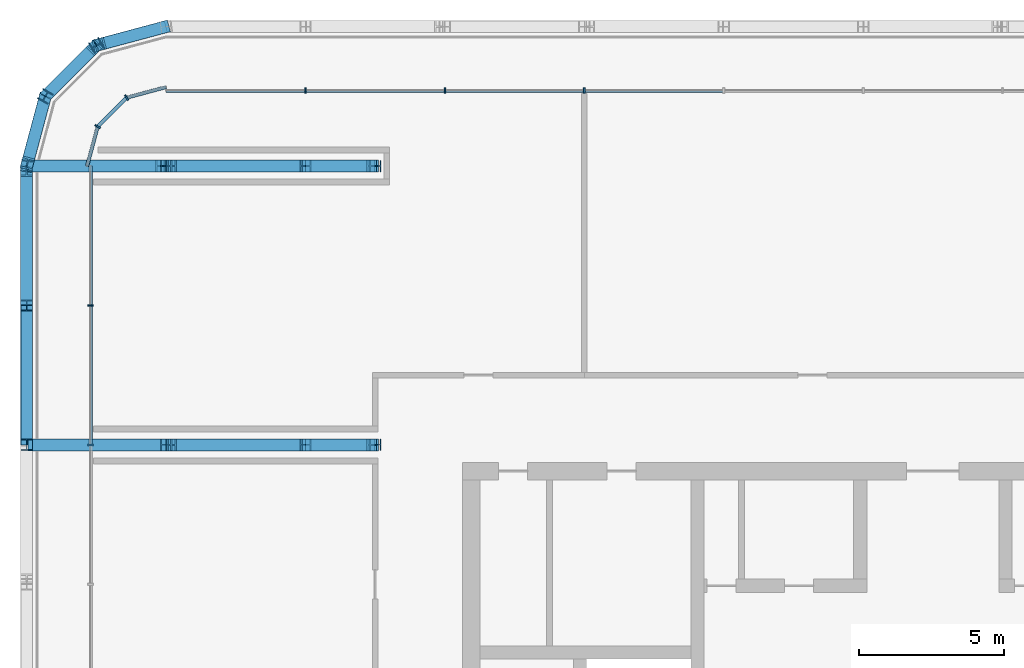
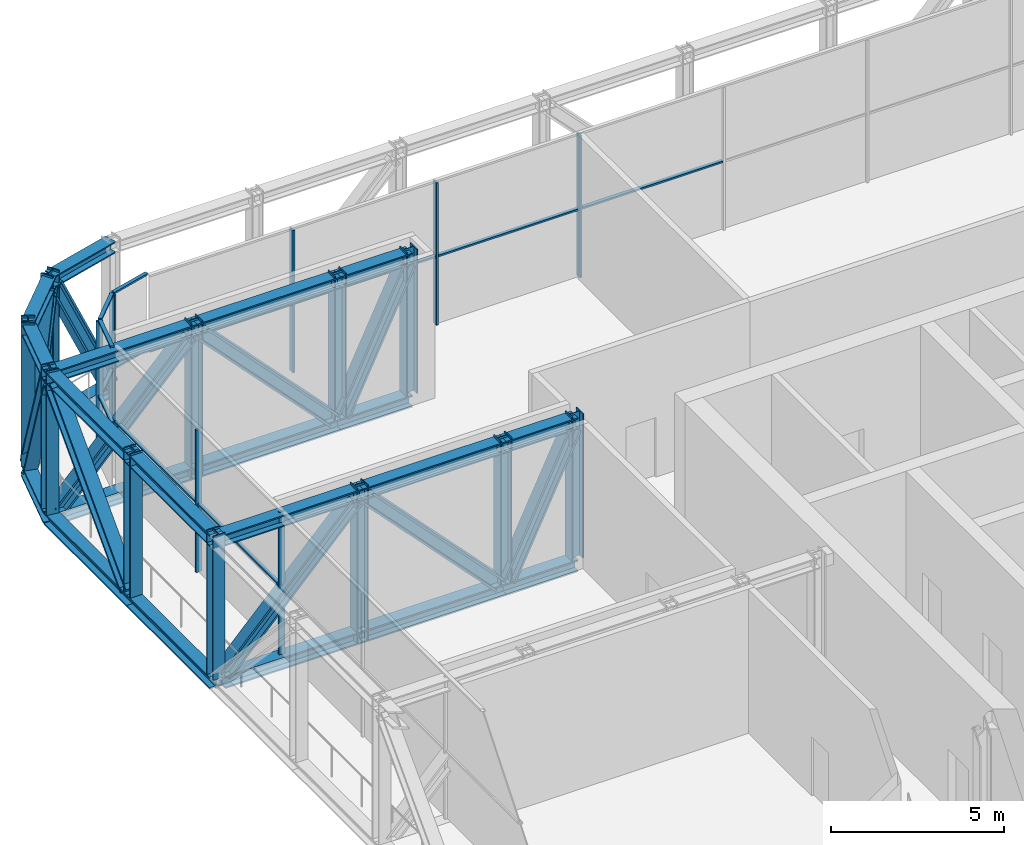
# One storey, part 11 of 26: 62 members, 3 elements without a shape of their own.
"""IFC4 building model written with IfcOpenShell, lengths in metres."""

from ifc_helpers import new_model, si_unit, direction, frame, origin, origin_2d, place, context, subcontext, project, spatial, rectangle, i_section, extrude, material, layer, layer_set, material_profile, profile_set, type_object, element, aggregate, save


model = new_model("IFC4")

# Units and contexts
model_context = context("Model", 3, precision=1e-05, world=origin(), true_north=direction((0.0, 1.0)))
body_context = subcontext(model_context, "Body", "Model", "MODEL_VIEW")
ifc_project = project(units=[si_unit("LENGTHUNIT", "METRE"), si_unit("AREAUNIT", "SQUARE_METRE"), si_unit("VOLUMEUNIT", "CUBIC_METRE"), si_unit("PLANEANGLEUNIT", "RADIAN"), si_unit("MASSUNIT", "GRAM", prefix="KILO")], contexts=[model_context])

# Site, building, storey
site_placement = place(None, origin())
site = spatial("IfcSite", under=ifc_project, at=site_placement, CompositionType="ELEMENT")
building_placement = place(site_placement, origin())
building = spatial("IfcBuilding", under=site, at=building_placement, Name="Madar Terraces", CompositionType="ELEMENT")
storey_placement = place(building_placement, frame((0.0, 0.0, 233.300048828125)))
storey = spatial("IfcBuildingStorey", under=building, at=storey_placement, Name="L61", CompositionType="ELEMENT", Elevation=233.300048828125)

# Members
ifc_material_1 = material(Name="Steel ASTM A992 Grade 50", Category="steel")
ifc_material_profile_1 = material_profile(ifc_material_1, i_section(OverallWidth=0.408935546875, OverallDepth=0.424072265625, WebThickness=0.03271484375, FlangeThickness=0.052490234375, at=origin_2d()), Name="W14x283")
ifc_profile_set_1 = profile_set([ifc_material_profile_1], Name="Steel ASTM A992 Grade 50")
member_type_1 = type_object("IfcMemberType", Name="BC8 W14x283", PredefinedType="CHORD", material=ifc_profile_set_1)
member_1_placement = place(storey_placement, frame((4.800048828125, 52.800048828125, -0.2080078125), z_axis=(-0.965930947833, -0.258799930484, 0.0), x_axis=(0.258799930484, -0.965930947833, 0.0)))
element("IfcMember", 1, at=member_1_placement, inside=storey, type_object=member_type_1, Name="Exoskeleton truss ring bottom chord BC8", PredefinedType="CHORD", context=body_context, shape_type="SweptSolid", body=[
    extrude(i_section(OverallWidth=0.408935546875, OverallDepth=0.424072265625, WebThickness=0.03271484375, FlangeThickness=0.052490234375, at=origin_2d()), origin(), (0.0, 0.0, 1.0), 2.48486328125),
])
for number, where, z_axis, x_axis, name in (
    (2, (2.39990234375, 52.156982421875, -0.2080078125), (-0.70705765096, -0.707155907999, 0.0), (0.707155907999, -0.70705765096, 0.0), "Exoskeleton truss ring bottom chord BC8"),
    (3, (0.64306640625, 50.39990234375, -0.2080078125), (-0.258824494443, -0.965924366126, 0.0), (0.965924366126, -0.258824494443, 0.0), "Exoskeleton truss ring bottom chord BC8"),
):
    element("IfcMember", number, at=place(storey_placement, frame(where, z_axis=z_axis, x_axis=x_axis)), inside=storey, type_object=member_type_1, Name=name, PredefinedType="CHORD", context=body_context, shape_type="SweptSolid", body=[
        extrude(i_section(OverallWidth=0.408935546875, OverallDepth=0.424072265625, WebThickness=0.03271484375, FlangeThickness=0.052490234375, at=origin_2d()), origin(), (0.0, 0.0, 1.0), 2.484619140625),
    ])
for number, where, z_axis, x_axis, name in (
    (4, (0.0, 48.0, -0.2080078125), (0.0, -1.0, 0.0), (1.0, 0.0, 0.0), "Exoskeleton truss ring bottom chord BC8"),
    (5, (0.0, 43.199951171875, -0.2080078125), (0.0, -1.0, 0.0), (1.0, 0.0, 0.0), "Exoskeleton truss ring bottom chord BC8"),
):
    element("IfcMember", number, at=place(storey_placement, frame(where, z_axis=z_axis, x_axis=x_axis)), inside=storey, type_object=member_type_1, Name=name, PredefinedType="CHORD", context=body_context, shape_type="SweptSolid", body=[
        extrude(i_section(OverallWidth=0.408935546875, OverallDepth=0.424072265625, WebThickness=0.03271484375, FlangeThickness=0.052490234375, at=origin_2d()), origin(), (0.0, 0.0, 1.0), 4.800048828125),
    ])
member_2_placement = place(storey_placement, frame((0.20458984375, 38.39990234375, -0.2080078125), z_axis=(1.0, 0.0, 0.0), x_axis=(0.0, 1.0, 0.0)))
element("IfcMember", 6, at=member_2_placement, inside=storey, type_object=member_type_1, Name="Exoskeleton truss cross W38.4 bottom chord BC8", PredefinedType="CHORD", context=body_context, shape_type="SweptSolid", body=[
    extrude(i_section(OverallWidth=0.408935546875, OverallDepth=0.424072265625, WebThickness=0.03271484375, FlangeThickness=0.052490234375, at=origin_2d()), origin(), (0.0, 0.0, 1.0), 4.595458984375),
])
member_3_placement = place(storey_placement, frame((4.800048828125, 38.39990234375, -0.2080078125), z_axis=(1.0, 0.0, 0.0), x_axis=(0.0, 1.0, 0.0)))
element("IfcMember", 7, at=member_3_placement, inside=storey, type_object=member_type_1, Name="Exoskeleton truss cross W38.4 bottom chord BC8", PredefinedType="CHORD", context=body_context, shape_type="SweptSolid", body=[
    extrude(i_section(OverallWidth=0.408935546875, OverallDepth=0.424072265625, WebThickness=0.03271484375, FlangeThickness=0.052490234375, at=origin_2d()), origin(), (0.0, 0.0, 1.0), 4.800048828125),
])
member_4_placement = place(storey_placement, frame((9.60009765625, 38.39990234375, -0.2080078125), z_axis=(1.0, 0.0, 0.0), x_axis=(0.0, 1.0, 0.0)))
element("IfcMember", 8, at=member_4_placement, inside=storey, type_object=member_type_1, Name="Exoskeleton truss cross W38.4 bottom chord BC8", PredefinedType="CHORD", context=body_context, shape_type="SweptSolid", body=[
    extrude(i_section(OverallWidth=0.408935546875, OverallDepth=0.424072265625, WebThickness=0.03271484375, FlangeThickness=0.052490234375, at=origin_2d()), origin(), (0.0, 0.0, 1.0), 2.39990234375),
])
member_5_placement = place(storey_placement, frame((0.20458984375, 48.0, -0.2080078125), z_axis=(1.0, 0.0, 0.0), x_axis=(0.0, 1.0, 0.0)))
element("IfcMember", 9, at=member_5_placement, inside=storey, type_object=member_type_1, Name="Exoskeleton truss cross W48 bottom chord BC8", PredefinedType="CHORD", context=body_context, shape_type="SweptSolid", body=[
    extrude(i_section(OverallWidth=0.408935546875, OverallDepth=0.424072265625, WebThickness=0.03271484375, FlangeThickness=0.052490234375, at=origin_2d()), origin(), (0.0, 0.0, 1.0), 4.595458984375),
])
member_6_placement = place(storey_placement, frame((4.800048828125, 48.0, -0.2080078125), z_axis=(1.0, 0.0, 0.0), x_axis=(0.0, 1.0, 0.0)))
element("IfcMember", 10, at=member_6_placement, inside=storey, type_object=member_type_1, Name="Exoskeleton truss cross W48 bottom chord BC8", PredefinedType="CHORD", context=body_context, shape_type="SweptSolid", body=[
    extrude(i_section(OverallWidth=0.408935546875, OverallDepth=0.424072265625, WebThickness=0.03271484375, FlangeThickness=0.052490234375, at=origin_2d()), origin(), (0.0, 0.0, 1.0), 4.800048828125),
])
member_7_placement = place(storey_placement, frame((9.60009765625, 48.0, -0.2080078125), z_axis=(1.0, 0.0, 0.0), x_axis=(0.0, 1.0, 0.0)))
element("IfcMember", 11, at=member_7_placement, inside=storey, type_object=member_type_1, Name="Exoskeleton truss cross W48 bottom chord BC8", PredefinedType="CHORD", context=body_context, shape_type="SweptSolid", body=[
    extrude(i_section(OverallWidth=0.408935546875, OverallDepth=0.424072265625, WebThickness=0.03271484375, FlangeThickness=0.052490234375, at=origin_2d()), origin(), (0.0, 0.0, 1.0), 2.39990234375),
])

# Curtain wall, members
ifc_material_2 = material(Name="Glass, ceramic frit dark grey, with black aluminium frame", Category="aluminium")
ifc_layer = layer(ifc_material_2, 0.199951171875)
ifc_layer_set = layer_set([ifc_layer], Name="Facade curtain wall, tall glazing")
curtain_wall_type = type_object("IfcCurtainWallType", Name="Facade curtain wall, tall glazing", PredefinedType="NOTDEFINED", material=ifc_layer_set)
curtain_wall_1_placement = place(storey_placement, origin())
curtain_wall_1 = element("IfcCurtainWall", 12, at=curtain_wall_1_placement, inside=storey, type_object=curtain_wall_type, Name="Outer skin curtain wall north bay 1", PredefinedType="NOTDEFINED")
ifc_material_3 = material(Name="Aluminium, black anodised", Category="aluminium")
ifc_material_profile_2 = material_profile(ifc_material_3, rectangle(XDim=0.199951171875, YDim=0.06005859375, at=origin_2d()), Name="Facade mullion 60x200")
ifc_profile_set_2 = profile_set([ifc_material_profile_2], Name="Aluminium, black anodised")
member_type_2 = type_object("IfcMemberType", Name="Facade mullion 60x200", PredefinedType="MULLION", material=ifc_profile_set_2)
member_8_placement = place(storey_placement, frame((19.199951171875, 50.60009765625, 0.0), z_axis=(0.0, 0.0, 1.0), x_axis=(0.0, -1.0, 0.0)))
member_8 = element("IfcMember", 13, at=member_8_placement, type_object=member_type_2, Name="Mullion 7", PredefinedType="MULLION", context=body_context, shape_type="SweptSolid", body=[
    extrude(rectangle(XDim=0.199951171875, YDim=0.06005859375, at=origin_2d()), origin(), (0.0, 0.0, 1.0), 5.0400390625),
])
member_9_placement = place(storey_placement, frame((14.39990234375, 50.60009765625, 0.0), z_axis=(0.0, 0.0, 1.0), x_axis=(0.0, -1.0, 0.0)))
member_9 = element("IfcMember", 14, at=member_9_placement, type_object=member_type_2, Name="Mullion 8", PredefinedType="MULLION", context=body_context, shape_type="SweptSolid", body=[
    extrude(rectangle(XDim=0.199951171875, YDim=0.06005859375, at=origin_2d()), origin(), (0.0, 0.0, 1.0), 5.0400390625),
])
member_10_placement = place(storey_placement, frame((9.60009765625, 50.60009765625, 0.0), z_axis=(0.0, 0.0, 1.0), x_axis=(0.0, -1.0, 0.0)))
member_10 = element("IfcMember", 15, at=member_10_placement, type_object=member_type_2, Name="Mullion 9", PredefinedType="MULLION", context=body_context, shape_type="SweptSolid", body=[
    extrude(rectangle(XDim=0.199951171875, YDim=0.06005859375, at=origin_2d()), origin(), (0.0, 0.0, 1.0), 5.0400390625),
])

curtain_wall_2_placement = place(storey_placement, origin())
curtain_wall_2 = element("IfcCurtainWall", 16, at=curtain_wall_2_placement, inside=storey, type_object=curtain_wall_type, Name="Outer skin curtain wall west bay 1", PredefinedType="NOTDEFINED")
member_11_placement = place(storey_placement, frame((2.199951171875, 43.199951171875, 0.0), z_axis=(0.0, 0.0, 1.0), x_axis=(1.0, 0.0, 0.0)))
member_11 = element("IfcMember", 17, at=member_11_placement, type_object=member_type_2, Name="Mullion 1", PredefinedType="MULLION", context=body_context, shape_type="SweptSolid", body=[
    extrude(rectangle(XDim=0.199951171875, YDim=0.06005859375, at=origin_2d()), origin(), (0.0, 0.0, 1.0), 5.0400390625),
])
member_12_placement = place(storey_placement, frame((2.199951171875, 38.39990234375, 0.0), z_axis=(0.0, 0.0, 1.0), x_axis=(1.0, 0.0, 0.0)))
member_12 = element("IfcMember", 18, at=member_12_placement, type_object=member_type_2, Name="Mullion 2", PredefinedType="MULLION", context=body_context, shape_type="SweptSolid", body=[
    extrude(rectangle(XDim=0.199951171875, YDim=0.06005859375, at=origin_2d()), origin(), (0.0, 0.0, 1.0), 5.0400390625),
])

curtain_wall_3_placement = place(storey_placement, origin())
curtain_wall_3 = element("IfcCurtainWall", 19, at=curtain_wall_3_placement, inside=storey, type_object=curtain_wall_type, Name="Outer skin curtain wall north-west corner", PredefinedType="NOTDEFINED")
member_13_placement = place(storey_placement, frame((3.43994140625, 50.35546875, 0.0), z_axis=(0.0, 0.0, 1.0), x_axis=(0.500000029202, -0.866025386925, 0.0)))
member_13 = element("IfcMember", 20, at=member_13_placement, type_object=member_type_2, Name="Mullion 1", PredefinedType="MULLION", context=body_context, shape_type="SweptSolid", body=[
    extrude(rectangle(XDim=0.199951171875, YDim=0.06005859375, at=origin_2d()), origin(), (0.0, 0.0, 1.0), 5.0400390625),
])
member_14_placement = place(storey_placement, frame((2.4443359375, 49.360107421875, 0.0), z_axis=(0.0, 0.0, 1.0), x_axis=(0.866025386925, -0.500000029202, 0.0)))
member_14 = element("IfcMember", 21, at=member_14_placement, type_object=member_type_2, Name="Mullion 2", PredefinedType="MULLION", context=body_context, shape_type="SweptSolid", body=[
    extrude(rectangle(XDim=0.199951171875, YDim=0.06005859375, at=origin_2d()), origin(), (0.0, 0.0, 1.0), 5.0400390625),
])

# Member
ifc_material_4 = material(Name="Aluminium, black anodised", Category="aluminium")
ifc_material_profile_3 = material_profile(ifc_material_4, rectangle(XDim=0.1201171875, YDim=0.06005859375, at=origin_2d()), Name="Facade transom 60x120")
ifc_profile_set_3 = profile_set([ifc_material_profile_3], Name="Aluminium, black anodised")
member_type_3 = type_object("IfcMemberType", Name="Facade transom 60x120", PredefinedType="USERDEFINED", material=ifc_profile_set_3)
member_15_placement = place(storey_placement, frame((23.969970703125, 50.60009765625, 2.39990234375), z_axis=(-1.0, 0.0, 0.0), x_axis=(0.0, -1.0, 0.0)))
member_15 = element("IfcMember", 22, at=member_15_placement, type_object=member_type_3, Name="Transom 8", ObjectType="TRANSOM", PredefinedType="USERDEFINED", context=body_context, shape_type="SweptSolid", body=[
    extrude(rectangle(XDim=0.1201171875, YDim=0.06005859375, at=origin_2d()), origin(), (0.0, 0.0, 1.0), 4.739990234375),
])

member_16_placement = place(storey_placement, frame((19.169921875, 50.60009765625, 2.39990234375), z_axis=(-1.0, 0.0, 0.0), x_axis=(0.0, -1.0, 0.0)))
member_16 = element("IfcMember", 23, at=member_16_placement, type_object=member_type_3, Name="Transom 9", ObjectType="TRANSOM", PredefinedType="USERDEFINED", context=body_context, shape_type="SweptSolid", body=[
    extrude(rectangle(XDim=0.1201171875, YDim=0.06005859375, at=origin_2d()), origin(), (0.0, 0.0, 1.0), 4.739990234375),
])

member_17_placement = place(storey_placement, frame((14.3701171875, 50.60009765625, 2.39990234375), z_axis=(-1.0, 0.0, 0.0), x_axis=(0.0, -1.0, 0.0)))
member_17 = element("IfcMember", 24, at=member_17_placement, type_object=member_type_3, Name="Transom 10", ObjectType="TRANSOM", PredefinedType="USERDEFINED", context=body_context, shape_type="SweptSolid", body=[
    extrude(rectangle(XDim=0.1201171875, YDim=0.06005859375, at=origin_2d()), origin(), (0.0, 0.0, 1.0), 4.740234375),
])

member_18_placement = place(storey_placement, frame((9.570068359375, 50.60009765625, 2.39990234375), z_axis=(-1.0, 0.0, 0.0), x_axis=(0.0, -1.0, 0.0)))
member_18 = element("IfcMember", 25, at=member_18_placement, type_object=member_type_3, Name="Transom 11", ObjectType="TRANSOM", PredefinedType="USERDEFINED", context=body_context, shape_type="SweptSolid", body=[
    extrude(rectangle(XDim=0.1201171875, YDim=0.06005859375, at=origin_2d()), origin(), (0.0, 0.0, 1.0), 4.77001953125),
])

aggregate(curtain_wall_1, [member_8, member_9, member_10, member_15, member_16, member_17, member_18])

member_19_placement = place(storey_placement, frame((2.199951171875, 48.0, 2.39990234375), z_axis=(0.0, -1.0, 0.0), x_axis=(1.0, 0.0, 0.0)))
member_19 = element("IfcMember", 26, at=member_19_placement, type_object=member_type_3, Name="Transom 2", ObjectType="TRANSOM", PredefinedType="USERDEFINED", context=body_context, shape_type="SweptSolid", body=[
    extrude(rectangle(XDim=0.1201171875, YDim=0.06005859375, at=origin_2d()), origin(), (0.0, 0.0, 1.0), 4.77001953125),
])

member_20_placement = place(storey_placement, frame((2.199951171875, 43.169921875, 2.39990234375), z_axis=(0.0, -1.0, 0.0), x_axis=(1.0, 0.0, 0.0)))
member_20 = element("IfcMember", 27, at=member_20_placement, type_object=member_type_3, Name="Transom 3", ObjectType="TRANSOM", PredefinedType="USERDEFINED", context=body_context, shape_type="SweptSolid", body=[
    extrude(rectangle(XDim=0.1201171875, YDim=0.06005859375, at=origin_2d()), origin(), (0.0, 0.0, 1.0), 4.739990234375),
])

aggregate(curtain_wall_2, [member_11, member_12, member_19, member_20])

member_21_placement = place(storey_placement, frame((4.800048828125, 50.719970703125, 5.070068359375), z_axis=(-0.965919580711, -0.258842352791, 0.0), x_axis=(0.258842352791, -0.965919580711, 0.0)))
member_21 = element("IfcMember", 28, at=member_21_placement, type_object=member_type_3, Name="Transom 1", ObjectType="TRANSOM", PredefinedType="USERDEFINED", context=body_context, shape_type="SweptSolid", body=[
    extrude(rectangle(XDim=0.1201171875, YDim=0.06005859375, at=origin_2d()), origin(), (0.0, 0.0, 1.0), 1.3779296875),
])

member_22_placement = place(storey_placement, frame((4.800048828125, 50.719970703125, 2.39990234375), z_axis=(-0.965919580711, -0.258842352791, 0.0), x_axis=(0.258842352791, -0.965919580711, 0.0)))
member_22 = element("IfcMember", 29, at=member_22_placement, type_object=member_type_3, Name="Transom 2", ObjectType="TRANSOM", PredefinedType="USERDEFINED", context=body_context, shape_type="SweptSolid", body=[
    extrude(rectangle(XDim=0.1201171875, YDim=0.06005859375, at=origin_2d()), origin(), (0.0, 0.0, 1.0), 1.3779296875),
])

member_23_placement = place(storey_placement, frame((3.418701171875, 50.33447265625, 5.070068359375), z_axis=(-0.707016225155, -0.707197325622, 0.0), x_axis=(0.707197325622, -0.707016225155, 0.0)))
member_23 = element("IfcMember", 30, at=member_23_placement, type_object=member_type_3, Name="Transom 3", ObjectType="TRANSOM", PredefinedType="USERDEFINED", context=body_context, shape_type="SweptSolid", body=[
    extrude(rectangle(XDim=0.1201171875, YDim=0.06005859375, at=origin_2d()), origin(), (0.0, 0.0, 1.0), 1.34814453125),
])

member_24_placement = place(storey_placement, frame((3.418701171875, 50.33447265625, 2.39990234375), z_axis=(-0.707016225155, -0.707197325622, 0.0), x_axis=(0.707197325622, -0.707016225155, 0.0)))
member_24 = element("IfcMember", 31, at=member_24_placement, type_object=member_type_3, Name="Transom 4", ObjectType="TRANSOM", PredefinedType="USERDEFINED", context=body_context, shape_type="SweptSolid", body=[
    extrude(rectangle(XDim=0.1201171875, YDim=0.06005859375, at=origin_2d()), origin(), (0.0, 0.0, 1.0), 1.34814453125),
])

member_25_placement = place(storey_placement, frame((2.436767578125, 49.3310546875, 5.070068359375), z_axis=(-0.258842352791, -0.965919580711, 0.0), x_axis=(0.965919580711, -0.258842352791, 0.0)))
member_25 = element("IfcMember", 32, at=member_25_placement, type_object=member_type_3, Name="Transom 5", ObjectType="TRANSOM", PredefinedType="USERDEFINED", context=body_context, shape_type="SweptSolid", body=[
    extrude(rectangle(XDim=0.1201171875, YDim=0.06005859375, at=origin_2d()), origin(), (0.0, 0.0, 1.0), 1.3779296875),
])

member_26_placement = place(storey_placement, frame((2.436767578125, 49.3310546875, 2.39990234375), z_axis=(-0.258842352791, -0.965919580711, 0.0), x_axis=(0.965919580711, -0.258842352791, 0.0)))
member_26 = element("IfcMember", 33, at=member_26_placement, type_object=member_type_3, Name="Transom 6", ObjectType="TRANSOM", PredefinedType="USERDEFINED", context=body_context, shape_type="SweptSolid", body=[
    extrude(rectangle(XDim=0.1201171875, YDim=0.06005859375, at=origin_2d()), origin(), (0.0, 0.0, 1.0), 1.3779296875),
])

aggregate(curtain_wall_3, [member_13, member_21, member_22, member_14, member_23, member_24, member_25, member_26])

# Members
ifc_material_5 = material(Name="Steel ASTM A992 Grade 50", Category="steel")
ifc_material_profile_4 = material_profile(ifc_material_5, i_section(OverallWidth=0.40380859375, OverallDepth=0.406494140625, WebThickness=0.027099609375, FlangeThickness=0.043701171875, at=origin_2d()), Name="W14x233")
ifc_profile_set_4 = profile_set([ifc_material_profile_4], Name="Steel ASTM A992 Grade 50")
member_type_4 = type_object("IfcMemberType", Name="TC8 W14x233", PredefinedType="CHORD", material=ifc_profile_set_4)
member_27_placement = place(storey_placement, frame((4.800048828125, 52.800048828125, 4.82666015625), z_axis=(-0.965930947833, -0.258799930484, 0.0), x_axis=(0.258799930484, -0.965930947833, 0.0)))
element("IfcMember", 34, at=member_27_placement, inside=storey, type_object=member_type_4, Name="Exoskeleton truss ring top chord TC8", PredefinedType="CHORD", context=body_context, shape_type="SweptSolid", body=[
    extrude(i_section(OverallWidth=0.40380859375, OverallDepth=0.406494140625, WebThickness=0.027099609375, FlangeThickness=0.043701171875, at=origin_2d()), origin(), (0.0, 0.0, 1.0), 2.48486328125),
])
for number, where, z_axis, x_axis, name in (
    (35, (2.39990234375, 52.156982421875, 4.82666015625), (-0.70705765096, -0.707155907999, 0.0), (0.707155907999, -0.70705765096, 0.0), "Exoskeleton truss ring top chord TC8"),
    (36, (0.64306640625, 50.39990234375, 4.82666015625), (-0.258824494443, -0.965924366126, 0.0), (0.965924366126, -0.258824494443, 0.0), "Exoskeleton truss ring top chord TC8"),
):
    element("IfcMember", number, at=place(storey_placement, frame(where, z_axis=z_axis, x_axis=x_axis)), inside=storey, type_object=member_type_4, Name=name, PredefinedType="CHORD", context=body_context, shape_type="SweptSolid", body=[
        extrude(i_section(OverallWidth=0.40380859375, OverallDepth=0.406494140625, WebThickness=0.027099609375, FlangeThickness=0.043701171875, at=origin_2d()), origin(), (0.0, 0.0, 1.0), 2.484619140625),
    ])
for number, where, z_axis, x_axis, name in (
    (37, (0.0, 48.0, 4.82666015625), (0.0, -1.0, 0.0), (1.0, 0.0, 0.0), "Exoskeleton truss ring top chord TC8"),
    (38, (0.0, 43.199951171875, 4.82666015625), (0.0, -1.0, 0.0), (1.0, 0.0, 0.0), "Exoskeleton truss ring top chord TC8"),
):
    element("IfcMember", number, at=place(storey_placement, frame(where, z_axis=z_axis, x_axis=x_axis)), inside=storey, type_object=member_type_4, Name=name, PredefinedType="CHORD", context=body_context, shape_type="SweptSolid", body=[
        extrude(i_section(OverallWidth=0.40380859375, OverallDepth=0.406494140625, WebThickness=0.027099609375, FlangeThickness=0.043701171875, at=origin_2d()), origin(), (0.0, 0.0, 1.0), 4.800048828125),
    ])
member_28_placement = place(storey_placement, frame((0.201904296875, 38.39990234375, 4.82666015625), z_axis=(1.0, 0.0, 0.0), x_axis=(0.0, 1.0, 0.0)))
element("IfcMember", 39, at=member_28_placement, inside=storey, type_object=member_type_4, Name="Exoskeleton truss cross W38.4 top chord TC8", PredefinedType="CHORD", context=body_context, shape_type="SweptSolid", body=[
    extrude(i_section(OverallWidth=0.40380859375, OverallDepth=0.406494140625, WebThickness=0.027099609375, FlangeThickness=0.043701171875, at=origin_2d()), origin(), (0.0, 0.0, 1.0), 4.59814453125),
])
member_29_placement = place(storey_placement, frame((4.800048828125, 38.39990234375, 4.82666015625), z_axis=(1.0, 0.0, 0.0), x_axis=(0.0, 1.0, 0.0)))
element("IfcMember", 40, at=member_29_placement, inside=storey, type_object=member_type_4, Name="Exoskeleton truss cross W38.4 top chord TC8", PredefinedType="CHORD", context=body_context, shape_type="SweptSolid", body=[
    extrude(i_section(OverallWidth=0.40380859375, OverallDepth=0.406494140625, WebThickness=0.027099609375, FlangeThickness=0.043701171875, at=origin_2d()), origin(), (0.0, 0.0, 1.0), 4.800048828125),
])
member_30_placement = place(storey_placement, frame((9.60009765625, 38.39990234375, 4.82666015625), z_axis=(1.0, 0.0, 0.0), x_axis=(0.0, 1.0, 0.0)))
element("IfcMember", 41, at=member_30_placement, inside=storey, type_object=member_type_4, Name="Exoskeleton truss cross W38.4 top chord TC8", PredefinedType="CHORD", context=body_context, shape_type="SweptSolid", body=[
    extrude(i_section(OverallWidth=0.40380859375, OverallDepth=0.406494140625, WebThickness=0.027099609375, FlangeThickness=0.043701171875, at=origin_2d()), origin(), (0.0, 0.0, 1.0), 2.39990234375),
])
member_31_placement = place(storey_placement, frame((0.201904296875, 48.0, 4.82666015625), z_axis=(1.0, 0.0, 0.0), x_axis=(0.0, 1.0, 0.0)))
element("IfcMember", 42, at=member_31_placement, inside=storey, type_object=member_type_4, Name="Exoskeleton truss cross W48 top chord TC8", PredefinedType="CHORD", context=body_context, shape_type="SweptSolid", body=[
    extrude(i_section(OverallWidth=0.40380859375, OverallDepth=0.406494140625, WebThickness=0.027099609375, FlangeThickness=0.043701171875, at=origin_2d()), origin(), (0.0, 0.0, 1.0), 4.59814453125),
])
member_32_placement = place(storey_placement, frame((4.800048828125, 48.0, 4.82666015625), z_axis=(1.0, 0.0, 0.0), x_axis=(0.0, 1.0, 0.0)))
element("IfcMember", 43, at=member_32_placement, inside=storey, type_object=member_type_4, Name="Exoskeleton truss cross W48 top chord TC8", PredefinedType="CHORD", context=body_context, shape_type="SweptSolid", body=[
    extrude(i_section(OverallWidth=0.40380859375, OverallDepth=0.406494140625, WebThickness=0.027099609375, FlangeThickness=0.043701171875, at=origin_2d()), origin(), (0.0, 0.0, 1.0), 4.800048828125),
])
member_33_placement = place(storey_placement, frame((9.60009765625, 48.0, 4.82666015625), z_axis=(1.0, 0.0, 0.0), x_axis=(0.0, 1.0, 0.0)))
element("IfcMember", 44, at=member_33_placement, inside=storey, type_object=member_type_4, Name="Exoskeleton truss cross W48 top chord TC8", PredefinedType="CHORD", context=body_context, shape_type="SweptSolid", body=[
    extrude(i_section(OverallWidth=0.40380859375, OverallDepth=0.406494140625, WebThickness=0.027099609375, FlangeThickness=0.043701171875, at=origin_2d()), origin(), (0.0, 0.0, 1.0), 2.39990234375),
])
ifc_material_6 = material(Name="Steel ASTM A992 Grade 50", Category="steel")
ifc_material_profile_5 = material_profile(ifc_material_6, i_section(OverallWidth=0.419189453125, OverallDepth=0.45458984375, WebThickness=0.042236328125, FlangeThickness=0.067626953125, at=origin_2d()), Name="W14x370")
ifc_profile_set_5 = profile_set([ifc_material_profile_5], Name="Steel ASTM A992 Grade 50")
member_type_5 = type_object("IfcMemberType", Name="TD8 W14x370", PredefinedType="BRACE", material=ifc_profile_set_5)
for number, where, z_axis, x_axis, name in (
    (45, (4.698974609375, 52.77294921875, 0.004150390625), (-0.427489817606, -0.11455020944, 0.89673335243), (0.258828865002, -0.965923195001, 0.0), "Exoskeleton truss ring diagonal TD8"),
    (46, (2.3291015625, 52.0859375, 4.62353515625), (-0.312945328594, -0.312897934178, -0.896749744409), (0.707053230747, -0.707160327571, 0.0), "Exoskeleton truss ring diagonal TD8"),
):
    element("IfcMember", number, at=place(storey_placement, frame(where, z_axis=z_axis, x_axis=x_axis)), inside=storey, type_object=member_type_5, Name=name, PredefinedType="BRACE", context=body_context, shape_type="SweptSolid", body=[
        extrude(i_section(OverallWidth=0.419189453125, OverallDepth=0.45458984375, WebThickness=0.042236328125, FlangeThickness=0.067626953125, at=origin_2d()), origin(), (0.0, 0.0, 1.0), 5.1513671875),
    ])
member_34_placement = place(storey_placement, frame((0.615966796875, 50.298828125, 0.004150390625), z_axis=(-0.114552530199, -0.427451083934, 0.896751520026), x_axis=(0.965916019887, -0.258855640322, 0.0)))
element("IfcMember", 47, at=member_34_placement, inside=storey, type_object=member_type_5, Name="Exoskeleton truss ring diagonal TD8", PredefinedType="BRACE", context=body_context, shape_type="SweptSolid", body=[
    extrude(i_section(OverallWidth=0.419189453125, OverallDepth=0.45458984375, WebThickness=0.042236328125, FlangeThickness=0.067626953125, at=origin_2d()), origin(), (0.0, 0.0, 1.0), 5.151123046875),
])
member_35_placement = place(storey_placement, frame((0.0, 47.80615234375, 4.62353515625), z_axis=(0.0, -0.690036191516, -0.723774864442), x_axis=(1.0, 0.0, 0.0)))
element("IfcMember", 48, at=member_35_placement, inside=storey, type_object=member_type_5, Name="Exoskeleton truss ring diagonal TD8", PredefinedType="BRACE", context=body_context, shape_type="SweptSolid", body=[
    extrude(i_section(OverallWidth=0.419189453125, OverallDepth=0.45458984375, WebThickness=0.042236328125, FlangeThickness=0.067626953125, at=origin_2d()), origin(), (0.0, 0.0, 1.0), 6.38232421875),
])
member_36_placement = place(storey_placement, frame((0.20458984375, 38.39990234375, 0.006591796875), z_axis=(0.690026845457, 0.0, 0.723783774721), x_axis=(0.0, 1.0, 0.0)))
element("IfcMember", 49, at=member_36_placement, inside=storey, type_object=member_type_5, Name="Exoskeleton truss cross W38.4 diagonal TD8", PredefinedType="BRACE", context=body_context, shape_type="SweptSolid", body=[
    extrude(i_section(OverallWidth=0.419189453125, OverallDepth=0.45458984375, WebThickness=0.042236328125, FlangeThickness=0.067626953125, at=origin_2d()), origin(), (0.0, 0.0, 1.0), 6.37890625),
])
member_37_placement = place(storey_placement, frame((4.99365234375, 38.39990234375, 4.62353515625), z_axis=(0.690036191516, 0.0, -0.723774864442), x_axis=(0.0, 1.0, 0.0)))
element("IfcMember", 50, at=member_37_placement, inside=storey, type_object=member_type_5, Name="Exoskeleton truss cross W38.4 diagonal TD8", PredefinedType="BRACE", context=body_context, shape_type="SweptSolid", body=[
    extrude(i_section(OverallWidth=0.419189453125, OverallDepth=0.45458984375, WebThickness=0.042236328125, FlangeThickness=0.067626953125, at=origin_2d()), origin(), (0.0, 0.0, 1.0), 6.38232421875),
])
member_38_placement = place(storey_placement, frame((9.701171875, 38.39990234375, 0.004150390625), z_axis=(0.430283557881, 0.0, 0.902693779649), x_axis=(0.0, 1.0, 0.0)))
element("IfcMember", 51, at=member_38_placement, inside=storey, type_object=member_type_5, Name="Exoskeleton truss cross W38.4 diagonal TD8", PredefinedType="BRACE", context=body_context, shape_type="SweptSolid", body=[
    extrude(i_section(OverallWidth=0.419189453125, OverallDepth=0.45458984375, WebThickness=0.042236328125, FlangeThickness=0.067626953125, at=origin_2d()), origin(), (0.0, 0.0, 1.0), 5.117431640625),
])
member_39_placement = place(storey_placement, frame((0.20458984375, 48.0, 0.006591796875), z_axis=(0.690026845457, 0.0, 0.723783774721), x_axis=(0.0, 1.0, 0.0)))
element("IfcMember", 52, at=member_39_placement, inside=storey, type_object=member_type_5, Name="Exoskeleton truss cross W48 diagonal TD8", PredefinedType="BRACE", context=body_context, shape_type="SweptSolid", body=[
    extrude(i_section(OverallWidth=0.419189453125, OverallDepth=0.45458984375, WebThickness=0.042236328125, FlangeThickness=0.067626953125, at=origin_2d()), origin(), (0.0, 0.0, 1.0), 6.37890625),
])
member_40_placement = place(storey_placement, frame((4.99365234375, 48.0, 4.62353515625), z_axis=(0.690036191516, 0.0, -0.723774864442), x_axis=(0.0, 1.0, 0.0)))
element("IfcMember", 53, at=member_40_placement, inside=storey, type_object=member_type_5, Name="Exoskeleton truss cross W48 diagonal TD8", PredefinedType="BRACE", context=body_context, shape_type="SweptSolid", body=[
    extrude(i_section(OverallWidth=0.419189453125, OverallDepth=0.45458984375, WebThickness=0.042236328125, FlangeThickness=0.067626953125, at=origin_2d()), origin(), (0.0, 0.0, 1.0), 6.38232421875),
])
member_41_placement = place(storey_placement, frame((9.701171875, 48.0, 0.004150390625), z_axis=(0.430283557881, 0.0, 0.902693779649), x_axis=(0.0, 1.0, 0.0)))
element("IfcMember", 54, at=member_41_placement, inside=storey, type_object=member_type_5, Name="Exoskeleton truss cross W48 diagonal TD8", PredefinedType="BRACE", context=body_context, shape_type="SweptSolid", body=[
    extrude(i_section(OverallWidth=0.419189453125, OverallDepth=0.45458984375, WebThickness=0.042236328125, FlangeThickness=0.067626953125, at=origin_2d()), origin(), (0.0, 0.0, 1.0), 5.117431640625),
])
ifc_material_7 = material(Name="Steel ASTM A992 Grade 50", Category="steel")
ifc_material_profile_6 = material_profile(ifc_material_7, i_section(OverallWidth=0.398681640625, OverallDepth=0.393798828125, WebThickness=0.022705078125, FlangeThickness=0.03662109375, at=origin_2d()), Name="W14x193")
ifc_profile_set_6 = profile_set([ifc_material_profile_6], Name="Steel ASTM A992 Grade 50")
member_type_6 = type_object("IfcMemberType", Name="TV8 W14x193", PredefinedType="POST", material=ifc_profile_set_6)
for number, where, z_axis, x_axis, name in (
    (55, (2.39990234375, 52.156982421875, 0.004150390625), (0.0, 0.0, 1.0), (0.499999984885, -0.866025412511, 0.0), "Exoskeleton truss ring post TV8"),
    (56, (0.64306640625, 50.39990234375, 0.004150390625), (0.0, 0.0, 1.0), (0.866025412511, -0.499999984885, 0.0), "Exoskeleton truss ring post TV8"),
    (57, (0.0, 48.0, 0.004150390625), (0.0, 0.0, 1.0), (0.991444863652, -0.130526174916, 0.0), "Exoskeleton truss ring post TV8"),
    (58, (0.0, 43.199951171875, 0.004150390625), (0.0, 0.0, 1.0), (1.0, 0.0, 0.0), "Exoskeleton truss ring post TV8"),
    (59, (0.0, 38.39990234375, 0.004150390625), (0.0, 0.0, 1.0), (1.0, 0.0, 0.0), "Exoskeleton truss ring post TV8"),
):
    element("IfcMember", number, at=place(storey_placement, frame(where, z_axis=z_axis, x_axis=x_axis)), inside=storey, type_object=member_type_6, Name=name, PredefinedType="POST", context=body_context, shape_type="SweptSolid", body=[
        extrude(i_section(OverallWidth=0.398681640625, OverallDepth=0.393798828125, WebThickness=0.022705078125, FlangeThickness=0.03662109375, at=origin_2d()), origin(), (0.0, 0.0, 1.0), 5.095703125),
    ])
member_42_placement = place(storey_placement, frame((4.800048828125, 38.39990234375, -0.420166015625), z_axis=(0.0, 0.0, 1.0), x_axis=(0.0, 1.0, 0.0)))
element("IfcMember", 60, at=member_42_placement, inside=storey, type_object=member_type_6, Name="Exoskeleton truss cross W38.4 post TV8", PredefinedType="POST", context=body_context, shape_type="SweptSolid", body=[
    extrude(i_section(OverallWidth=0.398681640625, OverallDepth=0.393798828125, WebThickness=0.022705078125, FlangeThickness=0.03662109375, at=origin_2d()), origin(), (0.0, 0.0, 1.0), 5.52001953125),
])
for number, where, z_axis, x_axis, name in (
    (61, (9.60009765625, 38.39990234375, 0.004150390625), (0.0, 0.0, 1.0), (0.0, 1.0, 0.0), "Exoskeleton truss cross W38.4 post TV8"),
    (62, (12.0, 38.39990234375, 0.004150390625), (0.0, 0.0, 1.0), (0.0, 1.0, 0.0), "Exoskeleton truss cross W38.4 post TV8"),
):
    element("IfcMember", number, at=place(storey_placement, frame(where, z_axis=z_axis, x_axis=x_axis)), inside=storey, type_object=member_type_6, Name=name, PredefinedType="POST", context=body_context, shape_type="SweptSolid", body=[
        extrude(i_section(OverallWidth=0.398681640625, OverallDepth=0.393798828125, WebThickness=0.022705078125, FlangeThickness=0.03662109375, at=origin_2d()), origin(), (0.0, 0.0, 1.0), 5.095703125),
    ])
member_43_placement = place(storey_placement, frame((4.800048828125, 48.0, -0.420166015625), z_axis=(0.0, 0.0, 1.0), x_axis=(0.0, 1.0, 0.0)))
element("IfcMember", 63, at=member_43_placement, inside=storey, type_object=member_type_6, Name="Exoskeleton truss cross W48 post TV8", PredefinedType="POST", context=body_context, shape_type="SweptSolid", body=[
    extrude(i_section(OverallWidth=0.398681640625, OverallDepth=0.393798828125, WebThickness=0.022705078125, FlangeThickness=0.03662109375, at=origin_2d()), origin(), (0.0, 0.0, 1.0), 5.52001953125),
])
for number, where, z_axis, x_axis, name in (
    (64, (9.60009765625, 48.0, 0.004150390625), (0.0, 0.0, 1.0), (0.0, 1.0, 0.0), "Exoskeleton truss cross W48 post TV8"),
    (65, (12.0, 48.0, 0.004150390625), (0.0, 0.0, 1.0), (0.0, 1.0, 0.0), "Exoskeleton truss cross W48 post TV8"),
):
    element("IfcMember", number, at=place(storey_placement, frame(where, z_axis=z_axis, x_axis=x_axis)), inside=storey, type_object=member_type_6, Name=name, PredefinedType="POST", context=body_context, shape_type="SweptSolid", body=[
        extrude(i_section(OverallWidth=0.398681640625, OverallDepth=0.393798828125, WebThickness=0.022705078125, FlangeThickness=0.03662109375, at=origin_2d()), origin(), (0.0, 0.0, 1.0), 5.095703125),
    ])

save(model, "model.ifc")
